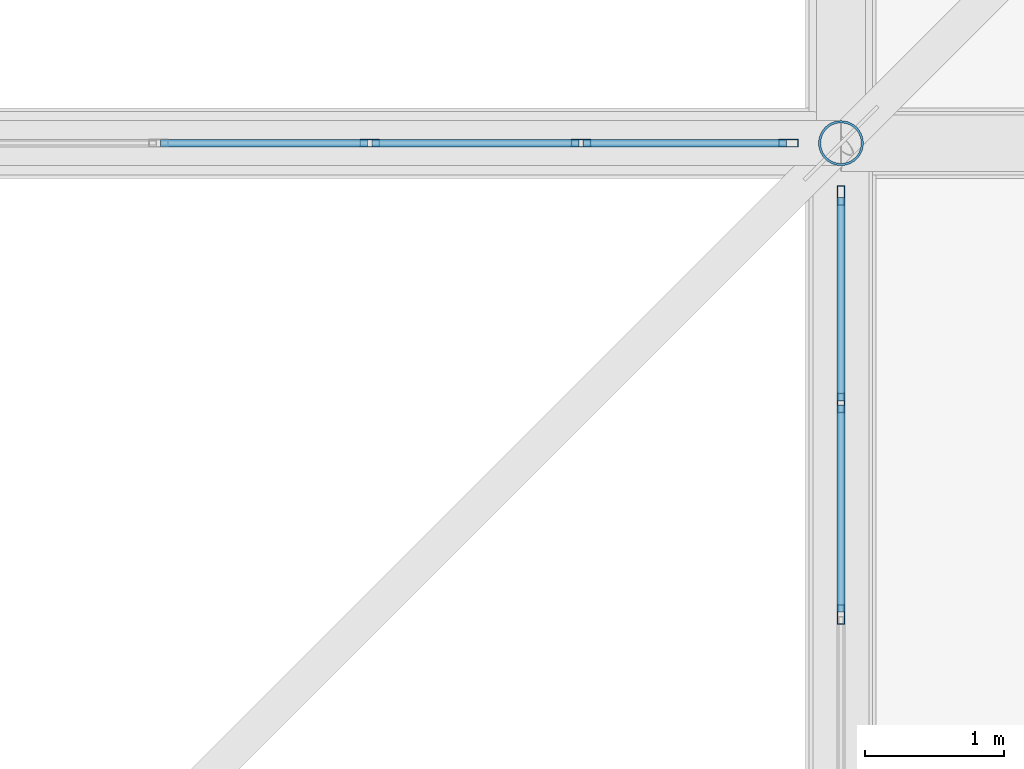
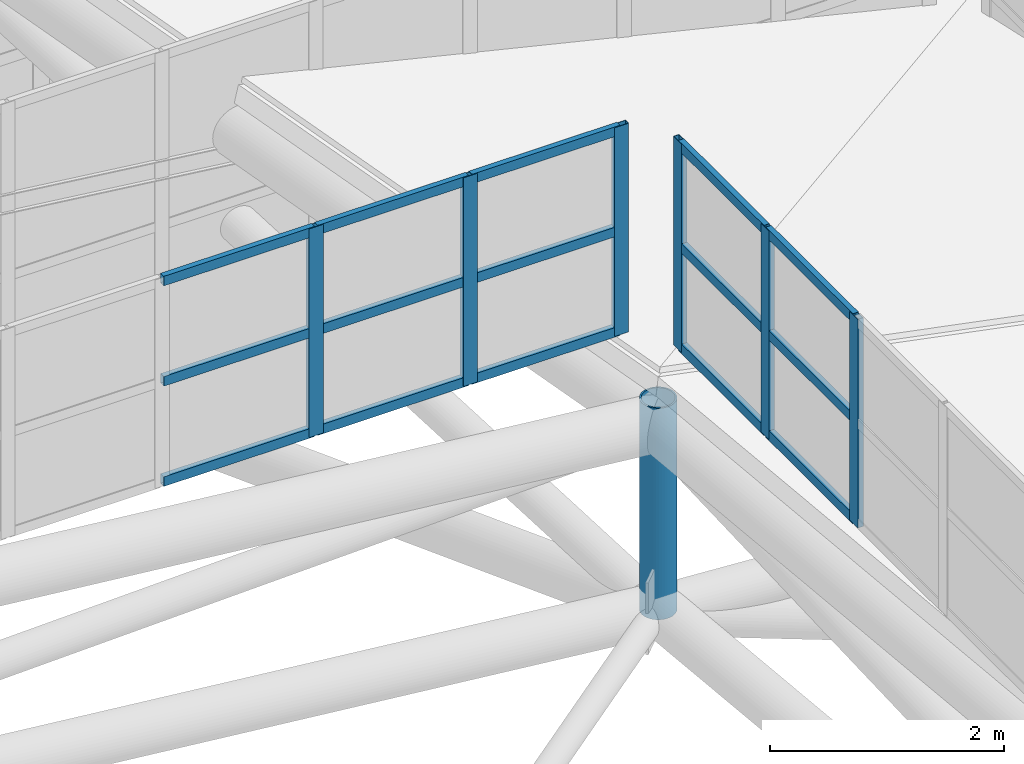
# One storey, part 334 of 397: 22 members, 2 elements without a shape of their own.
"""IFC4 building model written with IfcOpenShell, lengths in metres."""

from ifc_helpers import new_model, si_unit, direction, frame, origin, origin_2d, place, context, subcontext, project, spatial, hollow_rectangle, hollow_circle, extrude, material, material_profile, profile_set, type_object, element, aggregate, save


model = new_model("IFC4")

# Units and contexts
model_context = context("Model", 3, precision=1e-05, world=origin(), true_north=direction((0.0, 1.0)))
body_context = subcontext(model_context, "Body", "Model", "MODEL_VIEW")
ifc_project = project(units=[si_unit("LENGTHUNIT", "METRE"), si_unit("AREAUNIT", "SQUARE_METRE"), si_unit("VOLUMEUNIT", "CUBIC_METRE"), si_unit("PLANEANGLEUNIT", "RADIAN"), si_unit("MASSUNIT", "GRAM", prefix="KILO")], contexts=[model_context])

# Site, building, storey
site_placement = place(None, origin())
site = spatial("IfcSite", under=ifc_project, at=site_placement, CompositionType="ELEMENT")
building_placement = place(site_placement, origin())
building = spatial("IfcBuilding", under=site, at=building_placement, Name="Qandorah Velis Arena", CompositionType="ELEMENT")
storey_placement = place(building_placement, frame((0.0, 0.0, 27.5)))
storey = spatial("IfcBuildingStorey", under=building, at=storey_placement, Name="RF", CompositionType="ELEMENT", Elevation=27.5)

# Curtain wall, members
ifc_material_1 = material(Name="Solar-control low-E double glazing", Category="glass")
curtain_wall_type_1 = type_object("IfcCurtainWallType", Name="ARC-CW-SYS15", PredefinedType="USERDEFINED", material=ifc_material_1)
curtain_wall_1_placement = place(storey_placement, origin())
curtain_wall_1 = element("IfcCurtainWall", 1, at=curtain_wall_1_placement, inside=storey, type_object=curtain_wall_type_1, Name="Unitised curtain wall OCULUS-2-5", ObjectType="UNITISED CURTAIN WALL", PredefinedType="USERDEFINED")
ifc_material_2 = material(Name="Champagne-bronze anodized aluminium 6063-T6", Category="aluminium")
ifc_material_profile_1 = material_profile(ifc_material_2, hollow_rectangle(XDim=0.054931640625, YDim=0.139892578125, WallThickness=0.0029296875, at=origin_2d()), Name="ALU MULLION 55x140")
ifc_profile_set_1 = profile_set([ifc_material_profile_1], Name="Champagne-bronze anodized aluminium 6063-T6")
member_type_1 = type_object("IfcMemberType", Name="ARC-CWM-140", PredefinedType="MULLION", material=ifc_profile_set_1)
member_1_placement = place(storey_placement, frame((100.800048828125, 97.405517578125, 8.470947265625), z_axis=(0.0, 0.0, 1.0), x_axis=(-1.0, 0.0, 0.0)))
member_1 = element("IfcMember", 2, at=member_1_placement, type_object=member_type_1, Name="CW15 mullion 8", PredefinedType="MULLION", context=body_context, shape_type="SweptSolid", body=[
    extrude(hollow_rectangle(XDim=0.054931640625, YDim=0.139892578125, WallThickness=0.0029296875, at=origin_2d()), origin(), (0.0, 0.0, 1.0), 2.179931640625),
])
member_2_placement = place(storey_placement, frame((100.800048828125, 98.927734375, 8.470947265625), z_axis=(0.0, 0.0, 1.0), x_axis=(-1.0, 0.0, 0.0)))
member_2 = element("IfcMember", 3, at=member_2_placement, type_object=member_type_1, Name="CW15 mullion 9", PredefinedType="MULLION", context=body_context, shape_type="SweptSolid", body=[
    extrude(hollow_rectangle(XDim=0.054931640625, YDim=0.139892578125, WallThickness=0.0029296875, at=origin_2d()), origin(), (0.0, 0.0, 1.0), 2.179931640625),
])
member_3_placement = place(storey_placement, frame((100.800048828125, 100.422607421875, 8.470947265625), z_axis=(0.0, 0.0, 1.0), x_axis=(-1.0, 0.0, 0.0)))
member_3 = element("IfcMember", 4, at=member_3_placement, type_object=member_type_1, Name="CW15 mullion 10", PredefinedType="MULLION", context=body_context, shape_type="SweptSolid", body=[
    extrude(hollow_rectangle(XDim=0.054931640625, YDim=0.139892578125, WallThickness=0.0029296875, at=origin_2d()), origin(), (0.0, 0.0, 1.0), 2.179931640625),
])

curtain_wall_type_2 = type_object("IfcCurtainWallType", Name="ARC-CW-SYS01", PredefinedType="USERDEFINED", material=ifc_material_1)
curtain_wall_2_placement = place(storey_placement, origin())
curtain_wall_2 = element("IfcCurtainWall", 5, at=curtain_wall_2_placement, inside=storey, type_object=curtain_wall_type_2, Name="Unitised curtain wall OCULUS-4-5", ObjectType="UNITISED CURTAIN WALL", PredefinedType="USERDEFINED")
member_4_placement = place(storey_placement, frame((97.405517578125, 100.800048828125, 8.53515625), z_axis=(0.0, 0.0, 1.0), x_axis=(0.0, 1.0, 0.0)))
member_4 = element("IfcMember", 6, at=member_4_placement, type_object=member_type_1, Name="CW01 mullion 8", PredefinedType="MULLION", context=body_context, shape_type="SweptSolid", body=[
    extrude(hollow_rectangle(XDim=0.054931640625, YDim=0.139892578125, WallThickness=0.0029296875, at=origin_2d()), origin(), (0.0, 0.0, 1.0), 2.179931640625),
])
member_5_placement = place(storey_placement, frame((98.927734375, 100.800048828125, 8.53515625), z_axis=(0.0, 0.0, 1.0), x_axis=(0.0, 1.0, 0.0)))
member_5 = element("IfcMember", 7, at=member_5_placement, type_object=member_type_1, Name="CW01 mullion 9", PredefinedType="MULLION", context=body_context, shape_type="SweptSolid", body=[
    extrude(hollow_rectangle(XDim=0.054931640625, YDim=0.139892578125, WallThickness=0.0029296875, at=origin_2d()), origin(), (0.0, 0.0, 1.0), 2.179931640625),
])
member_6_placement = place(storey_placement, frame((100.422607421875, 100.800048828125, 8.53515625), z_axis=(0.0, 0.0, 1.0), x_axis=(0.0, 1.0, 0.0)))
member_6 = element("IfcMember", 8, at=member_6_placement, type_object=member_type_1, Name="CW01 mullion 10", PredefinedType="MULLION", context=body_context, shape_type="SweptSolid", body=[
    extrude(hollow_rectangle(XDim=0.054931640625, YDim=0.139892578125, WallThickness=0.0029296875, at=origin_2d()), origin(), (0.0, 0.0, 1.0), 2.179931640625),
])

# Member
ifc_material_profile_2 = material_profile(ifc_material_2, hollow_rectangle(XDim=0.054931640625, YDim=0.10009765625, WallThickness=0.0029296875, at=origin_2d()), Name="ALU TRANSOM 55x100")
ifc_profile_set_2 = profile_set([ifc_material_profile_2], Name="Champagne-bronze anodized aluminium 6063-T6")
member_type_2 = type_object("IfcMemberType", Name="ARC-CWT-100", PredefinedType="USERDEFINED", material=ifc_profile_set_2)
member_7_placement = place(storey_placement, frame((100.800048828125, 97.421142578125, 8.513427734375), z_axis=(0.0, 1.0, 0.0), x_axis=(-1.0, 0.0, 0.0)))
member_7 = element("IfcMember", 9, at=member_7_placement, type_object=member_type_2, Name="CW15 transom 8.1", ObjectType="TRANSOM", PredefinedType="USERDEFINED", context=body_context, shape_type="SweptSolid", body=[
    extrude(hollow_rectangle(XDim=0.054931640625, YDim=0.10009765625, WallThickness=0.0029296875, at=origin_2d()), origin(), (0.0, 0.0, 1.0), 1.4912109375),
])

member_8_placement = place(storey_placement, frame((100.800048828125, 97.421142578125, 9.56103515625), z_axis=(0.0, 1.0, 0.0), x_axis=(-1.0, 0.0, 0.0)))
member_8 = element("IfcMember", 10, at=member_8_placement, type_object=member_type_2, Name="CW15 transom 8.2", ObjectType="TRANSOM", PredefinedType="USERDEFINED", context=body_context, shape_type="SweptSolid", body=[
    extrude(hollow_rectangle(XDim=0.054931640625, YDim=0.10009765625, WallThickness=0.0029296875, at=origin_2d()), origin(), (0.0, 0.0, 1.0), 1.4912109375),
])

member_9_placement = place(storey_placement, frame((100.800048828125, 97.421142578125, 10.6083984375), z_axis=(0.0, 1.0, 0.0), x_axis=(-1.0, 0.0, 0.0)))
member_9 = element("IfcMember", 11, at=member_9_placement, type_object=member_type_2, Name="CW15 transom 8.3", ObjectType="TRANSOM", PredefinedType="USERDEFINED", context=body_context, shape_type="SweptSolid", body=[
    extrude(hollow_rectangle(XDim=0.054931640625, YDim=0.10009765625, WallThickness=0.0029296875, at=origin_2d()), origin(), (0.0, 0.0, 1.0), 1.4912109375),
])

member_10_placement = place(storey_placement, frame((100.800048828125, 98.943359375, 8.513427734375), z_axis=(0.0, 1.0, 0.0), x_axis=(-1.0, 0.0, 0.0)))
member_10 = element("IfcMember", 12, at=member_10_placement, type_object=member_type_2, Name="CW15 transom 9.1", ObjectType="TRANSOM", PredefinedType="USERDEFINED", context=body_context, shape_type="SweptSolid", body=[
    extrude(hollow_rectangle(XDim=0.054931640625, YDim=0.10009765625, WallThickness=0.0029296875, at=origin_2d()), origin(), (0.0, 0.0, 1.0), 1.463623046875),
])

member_11_placement = place(storey_placement, frame((100.800048828125, 98.943359375, 9.56103515625), z_axis=(0.0, 1.0, 0.0), x_axis=(-1.0, 0.0, 0.0)))
member_11 = element("IfcMember", 13, at=member_11_placement, type_object=member_type_2, Name="CW15 transom 9.2", ObjectType="TRANSOM", PredefinedType="USERDEFINED", context=body_context, shape_type="SweptSolid", body=[
    extrude(hollow_rectangle(XDim=0.054931640625, YDim=0.10009765625, WallThickness=0.0029296875, at=origin_2d()), origin(), (0.0, 0.0, 1.0), 1.463623046875),
])

member_12_placement = place(storey_placement, frame((100.800048828125, 98.943359375, 10.6083984375), z_axis=(0.0, 1.0, 0.0), x_axis=(-1.0, 0.0, 0.0)))
member_12 = element("IfcMember", 14, at=member_12_placement, type_object=member_type_2, Name="CW15 transom 9.3", ObjectType="TRANSOM", PredefinedType="USERDEFINED", context=body_context, shape_type="SweptSolid", body=[
    extrude(hollow_rectangle(XDim=0.054931640625, YDim=0.10009765625, WallThickness=0.0029296875, at=origin_2d()), origin(), (0.0, 0.0, 1.0), 1.463623046875),
])

aggregate(curtain_wall_1, [member_1, member_2, member_3, member_7, member_8, member_9, member_10, member_11, member_12])

member_13_placement = place(storey_placement, frame((95.898681640625, 100.800048828125, 8.57763671875), z_axis=(1.0, 0.0, 0.0), x_axis=(0.0, 1.0, 0.0)))
member_13 = element("IfcMember", 15, at=member_13_placement, type_object=member_type_2, Name="CW01 transom 7.1", ObjectType="TRANSOM", PredefinedType="USERDEFINED", context=body_context, shape_type="SweptSolid", body=[
    extrude(hollow_rectangle(XDim=0.054931640625, YDim=0.10009765625, WallThickness=0.0029296875, at=origin_2d()), origin(), (0.0, 0.0, 1.0), 1.491455078125),
])

member_14_placement = place(storey_placement, frame((95.898681640625, 100.800048828125, 9.625244140625), z_axis=(1.0, 0.0, 0.0), x_axis=(0.0, 1.0, 0.0)))
member_14 = element("IfcMember", 16, at=member_14_placement, type_object=member_type_2, Name="CW01 transom 7.2", ObjectType="TRANSOM", PredefinedType="USERDEFINED", context=body_context, shape_type="SweptSolid", body=[
    extrude(hollow_rectangle(XDim=0.054931640625, YDim=0.10009765625, WallThickness=0.0029296875, at=origin_2d()), origin(), (0.0, 0.0, 1.0), 1.491455078125),
])

member_15_placement = place(storey_placement, frame((95.898681640625, 100.800048828125, 10.672607421875), z_axis=(1.0, 0.0, 0.0), x_axis=(0.0, 1.0, 0.0)))
member_15 = element("IfcMember", 17, at=member_15_placement, type_object=member_type_2, Name="CW01 transom 7.3", ObjectType="TRANSOM", PredefinedType="USERDEFINED", context=body_context, shape_type="SweptSolid", body=[
    extrude(hollow_rectangle(XDim=0.054931640625, YDim=0.10009765625, WallThickness=0.0029296875, at=origin_2d()), origin(), (0.0, 0.0, 1.0), 1.491455078125),
])

member_16_placement = place(storey_placement, frame((97.421142578125, 100.800048828125, 8.57763671875), z_axis=(1.0, 0.0, 0.0), x_axis=(0.0, 1.0, 0.0)))
member_16 = element("IfcMember", 18, at=member_16_placement, type_object=member_type_2, Name="CW01 transom 8.1", ObjectType="TRANSOM", PredefinedType="USERDEFINED", context=body_context, shape_type="SweptSolid", body=[
    extrude(hollow_rectangle(XDim=0.054931640625, YDim=0.10009765625, WallThickness=0.0029296875, at=origin_2d()), origin(), (0.0, 0.0, 1.0), 1.4912109375),
])

member_17_placement = place(storey_placement, frame((97.421142578125, 100.800048828125, 9.625244140625), z_axis=(1.0, 0.0, 0.0), x_axis=(0.0, 1.0, 0.0)))
member_17 = element("IfcMember", 19, at=member_17_placement, type_object=member_type_2, Name="CW01 transom 8.2", ObjectType="TRANSOM", PredefinedType="USERDEFINED", context=body_context, shape_type="SweptSolid", body=[
    extrude(hollow_rectangle(XDim=0.054931640625, YDim=0.10009765625, WallThickness=0.0029296875, at=origin_2d()), origin(), (0.0, 0.0, 1.0), 1.4912109375),
])

member_18_placement = place(storey_placement, frame((97.421142578125, 100.800048828125, 10.672607421875), z_axis=(1.0, 0.0, 0.0), x_axis=(0.0, 1.0, 0.0)))
member_18 = element("IfcMember", 20, at=member_18_placement, type_object=member_type_2, Name="CW01 transom 8.3", ObjectType="TRANSOM", PredefinedType="USERDEFINED", context=body_context, shape_type="SweptSolid", body=[
    extrude(hollow_rectangle(XDim=0.054931640625, YDim=0.10009765625, WallThickness=0.0029296875, at=origin_2d()), origin(), (0.0, 0.0, 1.0), 1.4912109375),
])

member_19_placement = place(storey_placement, frame((98.943359375, 100.800048828125, 8.57763671875), z_axis=(1.0, 0.0, 0.0), x_axis=(0.0, 1.0, 0.0)))
member_19 = element("IfcMember", 21, at=member_19_placement, type_object=member_type_2, Name="CW01 transom 9.1", ObjectType="TRANSOM", PredefinedType="USERDEFINED", context=body_context, shape_type="SweptSolid", body=[
    extrude(hollow_rectangle(XDim=0.054931640625, YDim=0.10009765625, WallThickness=0.0029296875, at=origin_2d()), origin(), (0.0, 0.0, 1.0), 1.463623046875),
])

member_20_placement = place(storey_placement, frame((98.943359375, 100.800048828125, 9.625244140625), z_axis=(1.0, 0.0, 0.0), x_axis=(0.0, 1.0, 0.0)))
member_20 = element("IfcMember", 22, at=member_20_placement, type_object=member_type_2, Name="CW01 transom 9.2", ObjectType="TRANSOM", PredefinedType="USERDEFINED", context=body_context, shape_type="SweptSolid", body=[
    extrude(hollow_rectangle(XDim=0.054931640625, YDim=0.10009765625, WallThickness=0.0029296875, at=origin_2d()), origin(), (0.0, 0.0, 1.0), 1.463623046875),
])

member_21_placement = place(storey_placement, frame((98.943359375, 100.800048828125, 10.672607421875), z_axis=(1.0, 0.0, 0.0), x_axis=(0.0, 1.0, 0.0)))
member_21 = element("IfcMember", 23, at=member_21_placement, type_object=member_type_2, Name="CW01 transom 9.3", ObjectType="TRANSOM", PredefinedType="USERDEFINED", context=body_context, shape_type="SweptSolid", body=[
    extrude(hollow_rectangle(XDim=0.054931640625, YDim=0.10009765625, WallThickness=0.0029296875, at=origin_2d()), origin(), (0.0, 0.0, 1.0), 1.463623046875),
])

aggregate(curtain_wall_2, [member_4, member_5, member_6, member_13, member_14, member_15, member_16, member_17, member_18, member_19, member_20, member_21])

ifc_material_3 = material(Name="Steel S355", Category="steel")
ifc_material_profile_3 = material_profile(ifc_material_3, hollow_circle(Radius=0.161865234375, WallThickness=0.01611328125, at=origin_2d()), Name="CHS 323.9x16")
ifc_profile_set_3 = profile_set([ifc_material_profile_3], Name="Steel S355")
member_type_3 = type_object("IfcMemberType", Name="STR-SFD-CHS323X16", PredefinedType="CHORD", material=ifc_profile_set_3)
member_22_placement = place(storey_placement, frame((100.800048828125, 100.800048828125, 5.515380859375), z_axis=(0.0, 0.0, 1.0), x_axis=(1.0, 0.0, 0.0)))
element("IfcMember", 24, at=member_22_placement, inside=storey, type_object=member_type_3, Name="Space frame roof vertical post 6.6", PredefinedType="CHORD", context=body_context, shape_type="SweptSolid", body=[
    extrude(hollow_circle(Radius=0.161865234375, WallThickness=0.01611328125, at=origin_2d()), origin(), (0.0, 0.0, 1.0), 2.2099609375),
])

save(model, "model.ifc")
